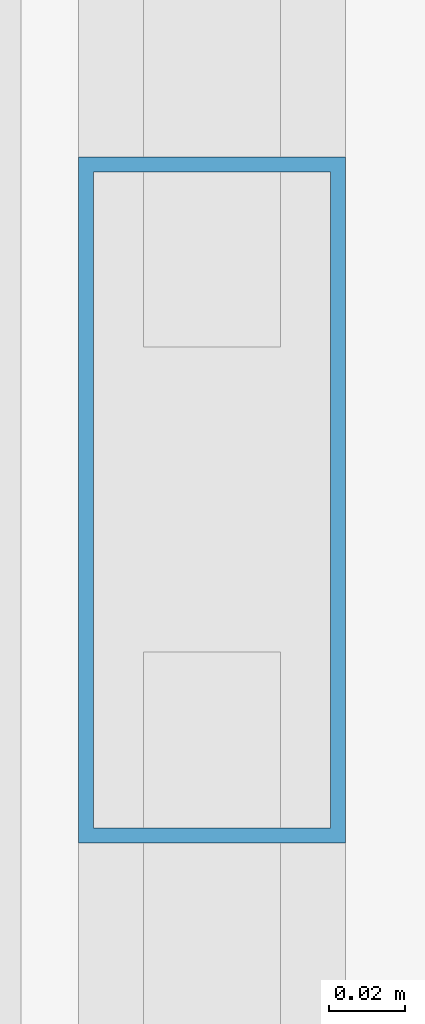
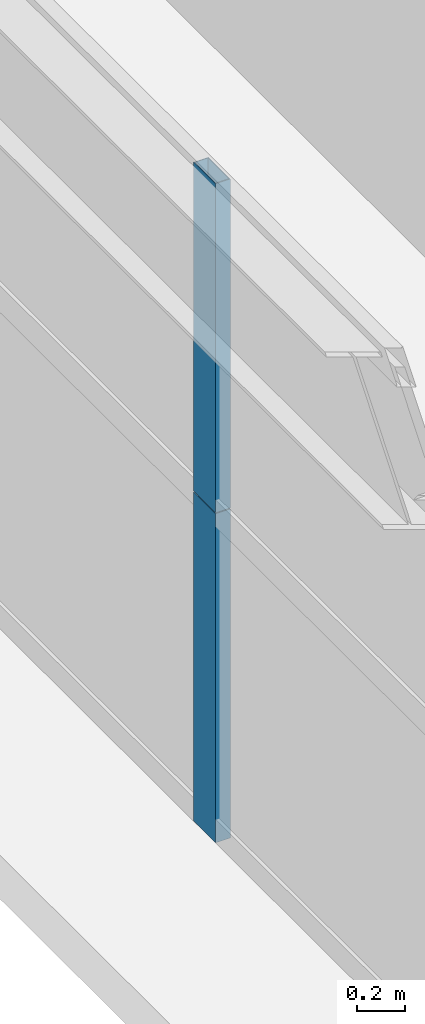
# One storey, part 20 of 38: 2 members, 1 element without a shape of its own.
"""IFC4 building model written with IfcOpenShell, lengths in metres."""

from ifc_helpers import new_model, si_unit, direction, frame, origin, origin_2d, place, context, subcontext, project, spatial, hollow_rectangle, extrude, source, transform, mapped, material, layer, layer_set, material_profile, profile_set, type_object, element, aggregate, save


model = new_model("IFC4")

# Units and contexts
model_context = context("Model", 3, precision=1e-05, world=origin(), true_north=direction((0.0, 1.0)))
body_context = subcontext(model_context, "Body", "Model", "MODEL_VIEW")
ifc_project = project(units=[si_unit("LENGTHUNIT", "METRE"), si_unit("AREAUNIT", "SQUARE_METRE"), si_unit("VOLUMEUNIT", "CUBIC_METRE"), si_unit("PLANEANGLEUNIT", "RADIAN"), si_unit("MASSUNIT", "GRAM", prefix="KILO"), si_unit("THERMODYNAMICTEMPERATUREUNIT", "KELVIN"), si_unit("POWERUNIT", "WATT")], contexts=[model_context])

# Site, building, storey
site_placement = place(None, origin())
site = spatial("IfcSite", under=ifc_project, at=site_placement, CompositionType="ELEMENT")
building_placement = place(site_placement, origin())
building = spatial("IfcBuilding", under=site, at=building_placement, Name="Yuzanri Waterfront Tower", CompositionType="ELEMENT")
storey_placement = place(building_placement, frame((0.0, 0.0, 126.199951171875)))
storey = spatial("IfcBuildingStorey", under=building, at=storey_placement, Name="L33", CompositionType="ELEMENT", Elevation=126.199951171875)

# Curtain wall, members
ifc_material_1 = material(Name="Anodized Architectural Bronze", Category="metal")
ifc_layer = layer(ifc_material_1, 0.159912109375)
ifc_layer_set = layer_set([ifc_layer], Name="Anodized Architectural Bronze")
curtain_wall_type = type_object("IfcCurtainWallType", Name="Anodized Bronze Hotel Upper-Tier Solar-Control Unitized Curtain Wall 7800", PredefinedType="NOTDEFINED", material=ifc_layer_set)
curtain_wall_placement = place(storey_placement, origin())
curtain_wall = element("IfcCurtainWall", 1, at=curtain_wall_placement, inside=storey, type_object=curtain_wall_type, Name="L33 Curtain Wall CW-L33-WR", PredefinedType="NOTDEFINED")
ifc_material_2 = material(Name="Anodized Architectural Bronze", Category="metal")
ifc_material_profile = material_profile(ifc_material_2, hollow_rectangle(XDim=0.070068359375, YDim=0.179931640625, WallThickness=0.00390625, at=origin_2d()), Name="CWM 70x180")
ifc_profile_set = profile_set([ifc_material_profile], Name="Anodized Architectural Bronze")
member_type = type_object("IfcMemberType", Name="Anodized Bronze Standard Curtain-Wall Mullion 70x180", PredefinedType="MULLION", material=ifc_profile_set)
shared_shape = source(origin(), body_context, "Body", "SweptSolid", [
    extrude(hollow_rectangle(XDim=0.070068359375, YDim=0.179931640625, WallThickness=0.00390625, at=origin_2d()), origin(), (0.0, 0.0, 1.0), 1.657958984375),
])
member_1_placement = place(storey_placement, frame((13.550048828125, 34.14990234375, 0.0), z_axis=(0.0, 0.0, 1.0), x_axis=(1.0, 0.0, 0.0)))
member_1 = element("IfcMember", 2, at=member_1_placement, type_object=member_type, Name="CW-L33-WR Lower Mullion 01", PredefinedType="MULLION", context=body_context, shape_type="MappedRepresentation", body=[
    mapped(shared_shape, transform((0.0, 0.0, 0.0), scale=1.0)),
])
member_2_placement = place(storey_placement, frame((13.550048828125, 34.14990234375, 1.662109375), z_axis=(0.0, 0.0, 1.0), x_axis=(1.0, 0.0, 0.0)))
member_2 = element("IfcMember", 3, at=member_2_placement, type_object=member_type, Name="CW-L33-WR Upper Mullion 01", PredefinedType="MULLION", context=body_context, shape_type="MappedRepresentation", body=[
    mapped(shared_shape, transform((0.0, 0.0, 0.0), scale=1.0)),
])
aggregate(curtain_wall, [member_1, member_2])

save(model, "model.ifc")
